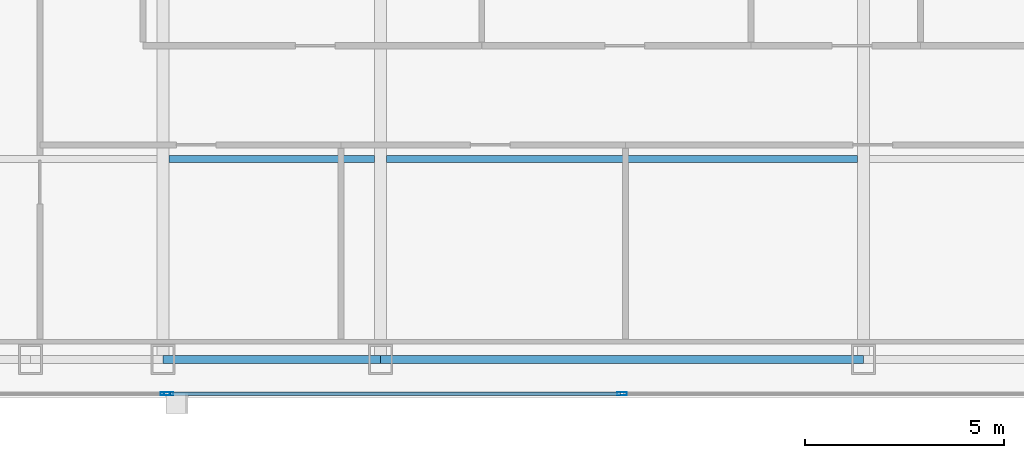
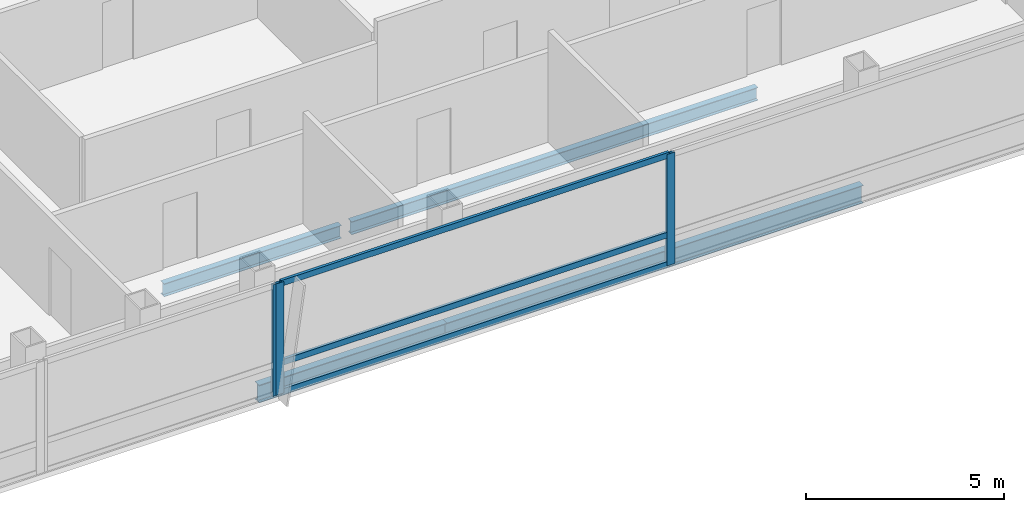
# One storey, part 8 of 30: 6 members, 4 beams, 2 elements without a shape of their own.
"""IFC4 building model written with IfcOpenShell, lengths in metres."""

from ifc_helpers import new_model, si_unit, direction, frame, origin, origin_2d, place, context, subcontext, project, spatial, hollow_rectangle, i_section, extrude, material, material_profile, profile_set, type_object, element, aggregate, save


model = new_model("IFC4")

# Units and contexts
model_context = context("Model", 3, precision=1e-05, world=origin(), true_north=direction((0.0, 1.0)))
body_context = subcontext(model_context, "Body", "Model", "MODEL_VIEW")
ifc_project = project(units=[si_unit("LENGTHUNIT", "METRE"), si_unit("AREAUNIT", "SQUARE_METRE"), si_unit("VOLUMEUNIT", "CUBIC_METRE"), si_unit("PLANEANGLEUNIT", "RADIAN"), si_unit("MASSUNIT", "GRAM", prefix="KILO")], contexts=[model_context])

# Site, building, storey
site_placement = place(None, origin())
site = spatial("IfcSite", under=ifc_project, at=site_placement, CompositionType="ELEMENT")
building_placement = place(site_placement, origin())
building = spatial("IfcBuilding", under=site, at=building_placement, Name="Khoronbel Lancet Exchange", CompositionType="ELEMENT")
storey_placement = place(building_placement, frame((0.0, 0.0, 277.0)))
storey = spatial("IfcBuildingStorey", under=building, at=storey_placement, Name="L71", CompositionType="ELEMENT", Elevation=277.0)

# Beams
ifc_material_1 = material(Name="Steel S355", Category="steel")
ifc_material_profile_1 = material_profile(ifc_material_1, i_section(OverallWidth=0.179931640625, OverallDepth=0.39990234375, WebThickness=0.008544921875, FlangeThickness=0.013427734375, at=origin_2d()), Name="IPE 400")
ifc_profile_set_1 = profile_set([ifc_material_profile_1], Name="Steel S355")
beam_type_1 = type_object("IfcBeamType", Name="BM-BJ5", PredefinedType="JOIST", material=ifc_profile_set_1)
beam_1_placement = place(storey_placement, frame((25.050048828125, 15.199951171875, -0.360107421875), z_axis=(1.0, 0.0, 0.0), x_axis=(0.0, 1.0, 0.0)))
element("IfcBeam", 1, at=beam_1_placement, inside=storey, type_object=beam_type_1, Name="Level L71 secondary composite joist J02", PredefinedType="JOIST", context=body_context, shape_type="SweptSolid", body=[
    extrude(i_section(OverallWidth=0.179931640625, OverallDepth=0.39990234375, WebThickness=0.008544921875, FlangeThickness=0.013427734375, at=origin_2d()), origin(), (0.0, 0.0, 1.0), 5.175048828125),
])
beam_2_placement = place(storey_placement, frame((30.52490234375, 15.199951171875, -0.360107421875), z_axis=(1.0, 0.0, 0.0), x_axis=(0.0, 1.0, 0.0)))
element("IfcBeam", 2, at=beam_2_placement, inside=storey, type_object=beam_type_1, Name="Level L71 secondary composite joist J03", PredefinedType="JOIST", context=body_context, shape_type="SweptSolid", body=[
    extrude(i_section(OverallWidth=0.179931640625, OverallDepth=0.39990234375, WebThickness=0.008544921875, FlangeThickness=0.013427734375, at=origin_2d()), origin(), (0.0, 0.0, 1.0), 11.85009765625),
])
ifc_material_profile_2 = material_profile(ifc_material_1, i_section(OverallWidth=0.2099609375, OverallDepth=0.550048828125, WebThickness=0.010986328125, FlangeThickness=0.01708984375, at=origin_2d()), Name="IPE 550")
ifc_profile_set_2 = profile_set([ifc_material_profile_2], Name="Steel S355")
beam_type_2 = type_object("IfcBeamType", Name="BM-BSP3", PredefinedType="SPANDREL", material=ifc_profile_set_2)
beam_3_placement = place(storey_placement, frame((24.89990234375, 10.14990234375, -0.43505859375), z_axis=(1.0, 0.0, 0.0), x_axis=(0.0, 1.0, 0.0)))
element("IfcBeam", 3, at=beam_3_placement, inside=storey, type_object=beam_type_2, Name="Level L71 perimeter spandrel beam SP04", PredefinedType="SPANDREL", context=body_context, shape_type="SweptSolid", body=[
    extrude(i_section(OverallWidth=0.2099609375, OverallDepth=0.550048828125, WebThickness=0.010986328125, FlangeThickness=0.01708984375, at=origin_2d()), origin(), (0.0, 0.0, 1.0), 5.47509765625),
])
beam_4_placement = place(storey_placement, frame((30.375, 10.14990234375, -0.43505859375), z_axis=(1.0, 0.0, 0.0), x_axis=(0.0, 1.0, 0.0)))
element("IfcBeam", 4, at=beam_4_placement, inside=storey, type_object=beam_type_2, Name="Level L71 perimeter spandrel beam SP05", PredefinedType="SPANDREL", context=body_context, shape_type="SweptSolid", body=[
    extrude(i_section(OverallWidth=0.2099609375, OverallDepth=0.550048828125, WebThickness=0.010986328125, FlangeThickness=0.01708984375, at=origin_2d()), origin(), (0.0, 0.0, 1.0), 12.14990234375),
])

# Curtain wall, member
ifc_material_2 = material(Name="Low-E Solar Control Insulating Glass", Category="glass")
curtain_wall_type = type_object("IfcCurtainWallType", Name="CW-3", PredefinedType="NOTDEFINED", material=ifc_material_2)
curtain_wall_1_placement = place(storey_placement, origin())
curtain_wall_1 = element("IfcCurtainWall", 5, at=curtain_wall_1_placement, inside=storey, type_object=curtain_wall_type, Name="Unitised curtain wall CW-L71-SWB", PredefinedType="NOTDEFINED")
ifc_material_3 = material(Name="Bronze-Anodised Aluminium 6063-T6", Category="aluminium")
ifc_material_profile_3 = material_profile(ifc_material_3, hollow_rectangle(XDim=0.0849609375, YDim=0.239990234375, WallThickness=0.006103515625, at=origin_2d()), Name="ALU MULLION 85x240")
ifc_profile_set_3 = profile_set([ifc_material_profile_3], Name="Bronze-Anodised Aluminium 6063-T6")
member_type_1 = type_object("IfcMemberType", Name="MEM-CWM1", PredefinedType="MULLION", material=ifc_profile_set_3)
member_1_placement = place(storey_placement, frame((24.95751953125, 9.2900390625, 0.0), z_axis=(0.0, 0.0, 1.0), x_axis=(0.0, 1.0, 0.0)))
member_1 = element("IfcMember", 6, at=member_1_placement, type_object=member_type_1, Name="CW3 mullion 2", PredefinedType="MULLION", context=body_context, shape_type="SweptSolid", body=[
    extrude(hollow_rectangle(XDim=0.0849609375, YDim=0.239990234375, WallThickness=0.006103515625, at=origin_2d()), origin(), (0.0, 0.0, 1.0), 3.43994140625),
])
aggregate(curtain_wall_1, [member_1])

# Curtain wall, members
curtain_wall_2_placement = place(storey_placement, origin())
curtain_wall_2 = element("IfcCurtainWall", 7, at=curtain_wall_2_placement, inside=storey, type_object=curtain_wall_type, Name="Unitised curtain wall CW-L71-SCV", PredefinedType="NOTDEFINED")
member_2_placement = place(storey_placement, frame((25.04248046875, 9.2900390625, 0.0), z_axis=(0.0, 0.0, 1.0), x_axis=(0.0, 1.0, 0.0)))
member_2 = element("IfcMember", 8, at=member_2_placement, type_object=member_type_1, Name="CW3 mullion 1", PredefinedType="MULLION", context=body_context, shape_type="SweptSolid", body=[
    extrude(hollow_rectangle(XDim=0.0849609375, YDim=0.239990234375, WallThickness=0.006103515625, at=origin_2d()), origin(), (0.0, 0.0, 1.0), 3.43994140625),
])
member_3_placement = place(storey_placement, frame((36.449951171875, 9.2900390625, 0.0), z_axis=(0.0, 0.0, 1.0), x_axis=(0.0, 1.0, 0.0)))
member_3 = element("IfcMember", 9, at=member_3_placement, type_object=member_type_1, Name="CW3 mullion 2", PredefinedType="MULLION", context=body_context, shape_type="SweptSolid", body=[
    extrude(hollow_rectangle(XDim=0.0849609375, YDim=0.239990234375, WallThickness=0.006103515625, at=origin_2d()), origin(), (0.0, 0.0, 1.0), 3.43994140625),
])
ifc_material_profile_4 = material_profile(ifc_material_3, hollow_rectangle(XDim=0.0849609375, YDim=0.179931640625, WallThickness=0.0048828125, at=origin_2d()), Name="ALU TRANSOM 85x180")
ifc_profile_set_4 = profile_set([ifc_material_profile_4], Name="Bronze-Anodised Aluminium 6063-T6")
member_type_2 = type_object("IfcMemberType", Name="MEM-CWT1", PredefinedType="USERDEFINED", material=ifc_profile_set_4)
member_4_placement = place(storey_placement, frame((25.0849609375, 9.2900390625, 0.04248046875), z_axis=(1.0, 0.0, 0.0), x_axis=(0.0, 1.0, 0.0)))
member_4 = element("IfcMember", 10, at=member_4_placement, type_object=member_type_2, Name="CW3 transom 1.1", ObjectType="TRANSOM", PredefinedType="USERDEFINED", context=body_context, shape_type="SweptSolid", body=[
    extrude(hollow_rectangle(XDim=0.0849609375, YDim=0.179931640625, WallThickness=0.0048828125, at=origin_2d()), origin(), (0.0, 0.0, 1.0), 11.322509765625),
])
member_5_placement = place(storey_placement, frame((25.0849609375, 9.2900390625, 0.949951171875), z_axis=(1.0, 0.0, 0.0), x_axis=(0.0, 1.0, 0.0)))
member_5 = element("IfcMember", 11, at=member_5_placement, type_object=member_type_2, Name="CW3 transom 1.2", ObjectType="TRANSOM", PredefinedType="USERDEFINED", context=body_context, shape_type="SweptSolid", body=[
    extrude(hollow_rectangle(XDim=0.0849609375, YDim=0.179931640625, WallThickness=0.0048828125, at=origin_2d()), origin(), (0.0, 0.0, 1.0), 11.322509765625),
])
member_6_placement = place(storey_placement, frame((25.0849609375, 9.2900390625, 3.3974609375), z_axis=(1.0, 0.0, 0.0), x_axis=(0.0, 1.0, 0.0)))
member_6 = element("IfcMember", 12, at=member_6_placement, type_object=member_type_2, Name="CW3 transom 1.3", ObjectType="TRANSOM", PredefinedType="USERDEFINED", context=body_context, shape_type="SweptSolid", body=[
    extrude(hollow_rectangle(XDim=0.0849609375, YDim=0.179931640625, WallThickness=0.0048828125, at=origin_2d()), origin(), (0.0, 0.0, 1.0), 11.322509765625),
])
aggregate(curtain_wall_2, [member_2, member_3, member_4, member_5, member_6])

save(model, "model.ifc")
